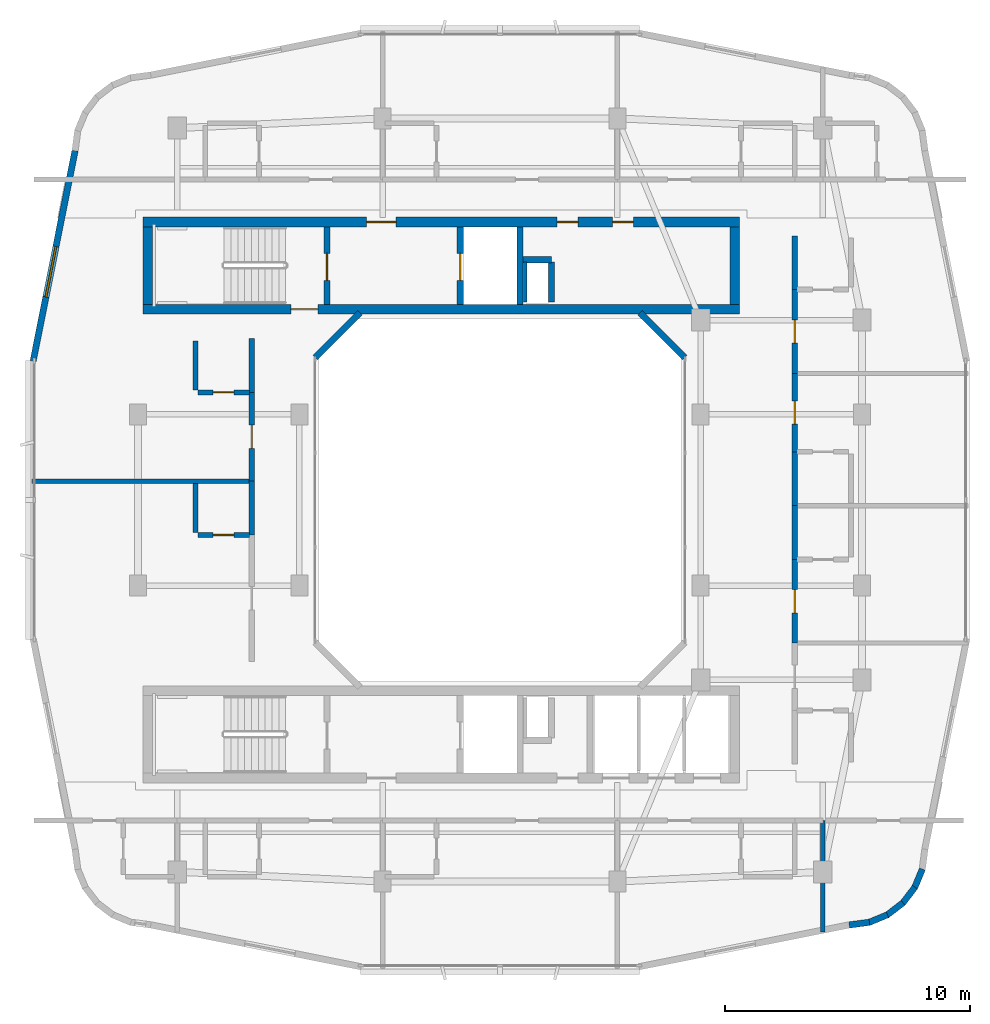
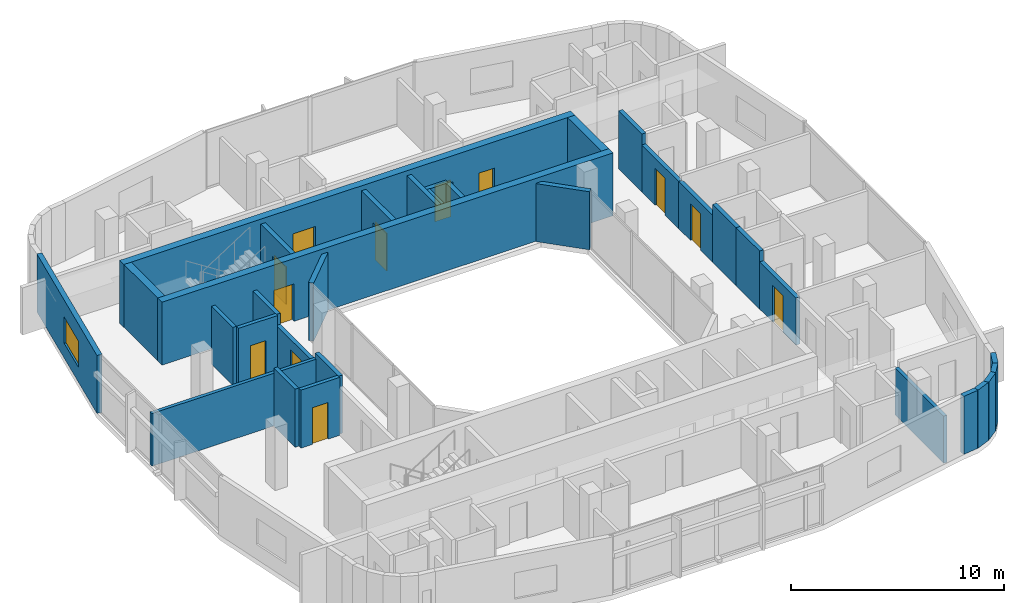
# One storey, part 8 of 14: 33 walls, 12 doors, 1 window, 13 openings.
"""IFC4 building model written with IfcOpenShell, lengths in metres."""

from ifc_helpers import new_model, si_unit, derived_unit, direction, frame, frame_2d, origin, place, context, subcontext, project, spatial, rectangle, extrude, material, layer, layer_set, type_object, element, fill, save


model = new_model("IFC4")

# Units and contexts
model_context = context("Model", 3, precision=1e-05, world=origin(), true_north=direction((0.0, 1.0)))
body_context = subcontext(model_context, "Body", "Model", "MODEL_VIEW")
ifc_project = project(units=[si_unit("LENGTHUNIT", "METRE"), si_unit("AREAUNIT", "SQUARE_METRE"), si_unit("VOLUMEUNIT", "CUBIC_METRE"), si_unit("PLANEANGLEUNIT", "RADIAN"), si_unit("MASSUNIT", "GRAM", prefix="KILO"), derived_unit("THERMALTRANSMITTANCEUNIT", [(si_unit("POWERUNIT", "WATT"), 1), (si_unit("LENGTHUNIT", "METRE"), -2), (si_unit("THERMODYNAMICTEMPERATUREUNIT", "KELVIN"), -1)])], contexts=[model_context])

# Site, building, storey
site_placement = place(None, origin())
site = spatial("IfcSite", under=ifc_project, at=site_placement, CompositionType="ELEMENT")
building_placement = place(site_placement, origin())
building = spatial("IfcBuilding", under=site, at=building_placement, Name="Kivonza Crest Hotel", CompositionType="ELEMENT")
storey_placement = place(building_placement, frame((0.0, 0.0, 224.300048828125)))
storey = spatial("IfcBuildingStorey", under=building, at=storey_placement, Name="L61", CompositionType="ELEMENT", Elevation=224.300048828125)

# Walls
ifc_material_1 = material(Name="High-density acoustic masonry inter-tenancy wall", Category="masonry")
ifc_layer_1 = layer(ifc_material_1, 0.179931640625)
ifc_layer_set_1 = layer_set([ifc_layer_1], Name="High-density acoustic masonry inter-tenancy wall")
wall_type_1 = type_object("IfcWallType", Name="WL-ACOU-180", PredefinedType="SOLIDWALL", material=ifc_layer_set_1)
wall_1_placement = place(storey_placement, frame((34.199951171875, 7.342041015625, 0.0), z_axis=(0.0, 0.0, 1.0), x_axis=(0.0, 1.0, 0.0)))
element("IfcWall", 1, at=wall_1_placement, inside=storey, type_object=wall_type_1, Name="L61 interior partition WA-L61-T1S-DIV4", PredefinedType="SOLIDWALL", context=body_context, shape_type="SweptSolid", body=[
    extrude(rectangle(XDim=4.557861328125, YDim=0.179931640625, at=frame_2d((2.27880859375, 0.0))), origin(), (0.0, 0.0, 1.0), 2.695068359375),
])
wall_2_placement = place(storey_placement, frame((1.860107421875, 25.77001953125, 0.0), z_axis=(0.0, 0.0, 1.0), x_axis=(1.0, 0.0, 0.0)))
element("IfcWall", 2, at=wall_2_placement, inside=storey, type_object=wall_type_1, Name="L61 interior partition WA-L61-T1W-DIV1", PredefinedType="SOLIDWALL", context=body_context, shape_type="SweptSolid", body=[
    extrude(rectangle(XDim=8.989990234375, YDim=0.179931640625, at=frame_2d((4.4951171875, 0.0))), origin(), (0.0, 0.0, 1.0), 3.014892578125),
])
ifc_material_2 = material(Name="Autoclaved aerated concrete blockwork", Category="masonry")
ifc_layer_2 = layer(ifc_material_2, 0.219970703125)
ifc_layer_set_2 = layer_set([ifc_layer_2], Name="Autoclaved aerated concrete blockwork")
wall_type_2 = type_object("IfcWallType", Name="WL-ACOU-220", PredefinedType="SOLIDWALL", material=ifc_layer_set_2)
wall_3_placement = place(storey_placement, frame((10.85009765625, 23.570068359375, 0.0), z_axis=(0.0, 0.0, 1.0), x_axis=(0.0, 1.0, 0.0)))
element("IfcWall", 3, at=wall_3_placement, inside=storey, type_object=wall_type_2, Name="L61 interior partition WA-L61-W09-BCORR", PredefinedType="SOLIDWALL", context=body_context, shape_type="SweptSolid", body=[
    extrude(rectangle(XDim=2.199951171875, YDim=0.219970703125, at=frame_2d((1.10009765625, 0.0))), origin(), (0.0, 0.0, 1.0), 3.320068359375),
])
wall_4_placement = place(storey_placement, frame((10.85009765625, 29.39990234375, 0.0), z_axis=(0.0, 0.0, 1.0), x_axis=(0.0, 1.0, 0.0)))
element("IfcWall", 4, at=wall_4_placement, inside=storey, type_object=wall_type_2, Name="L61 interior partition WA-L61-W10-BCORR", PredefinedType="SOLIDWALL", context=body_context, shape_type="SweptSolid", body=[
    extrude(rectangle(XDim=2.2001953125, YDim=0.219970703125, at=frame_2d((1.10009765625, 0.0))), origin(), (0.0, 0.0, 1.0), 3.320068359375),
])

# Wall, opening, door
wall_5_placement = place(storey_placement, frame((10.85009765625, 25.77001953125, 0.0), z_axis=(0.0, 0.0, 1.0), x_axis=(0.0, 1.0, 0.0)))
wall_5 = element("IfcWall", 5, at=wall_5_placement, inside=storey, type_object=wall_type_2, Name="L61 interior partition WA-L61-W10-MCORR", PredefinedType="SOLIDWALL", context=body_context, shape_type="SweptSolid", body=[
    extrude(rectangle(XDim=3.6298828125, YDim=0.219970703125, at=frame_2d((1.81494140625, 0.0))), origin(), (0.0, 0.0, 1.0), 2.695068359375),
])
opening_1_placement = place(wall_5_placement, frame((1.340087890625, 0.0, 0.0)))
opening_1 = element("IfcOpeningElement", 6, at=opening_1_placement, cuts=wall_5, Name="Opening DU-60", PredefinedType="OPENING", context=body_context, shape_type="SweptSolid", body=[
    extrude(rectangle(XDim=0.949951171875, YDim=2.10009765625, at=frame_2d((0.47509765625, 1.050048828125))), frame((0.0, 0.1201171875, 0.0), z_axis=(0.0, -1.0, 0.0), x_axis=(1.0, 0.0, 0.0)), (0.0, 0.0, 1.0), 0.239990234375),
])
ifc_material_3 = material(Name="Hardwood timber oak", Category="wood")
door_type_1 = type_object("IfcDoorType", Name="DR-UNIT-950", OperationType="NOTDEFINED", PredefinedType="DOOR", material=ifc_material_3)
door_1_placement = place(opening_1_placement, origin())
door_1 = element("IfcDoor", 7, at=door_1_placement, inside=storey, type_object=door_type_1, Name="L61 W10 guest unit entrance fire door", OperationType="SINGLE_SWING_RIGHT", OverallHeight=2.10009765625, OverallWidth=0.949951171875, PredefinedType="DOOR", context=body_context, shape_type="SweptSolid", body=[
    extrude(rectangle(XDim=0.949951171875, YDim=2.10009765625, at=frame_2d((0.47509765625, 1.050048828125))), frame((0.0, 0.02490234375, 0.0), z_axis=(0.0, -1.0, 0.0), x_axis=(1.0, 0.0, 0.0)), (0.0, 0.0, 1.0), 0.050048828125),
])
fill(opening_1, door_1)

# Wall
wall_6_placement = place(storey_placement, frame((33.050048828125, 22.572021484375, 0.0), z_axis=(0.0, 0.0, 1.0), x_axis=(0.0, 1.0, 0.0)))
element("IfcWall", 8, at=wall_6_placement, inside=storey, type_object=wall_type_2, Name="L61 interior partition WA-L61-E12-BCORR", PredefinedType="SOLIDWALL", context=body_context, shape_type="SweptSolid", body=[
    extrude(rectangle(XDim=2.199951171875, YDim=0.219970703125, at=frame_2d((1.10009765625, 0.0))), origin(), (0.0, 0.0, 1.0), 3.320068359375),
])

# Wall, opening, door
wall_7_placement = place(storey_placement, frame((33.050048828125, 19.156005859375, 0.0), z_axis=(0.0, 0.0, 1.0), x_axis=(0.0, 1.0, 0.0)))
wall_7 = element("IfcWall", 9, at=wall_7_placement, inside=storey, type_object=wall_type_2, Name="L61 interior partition WA-L61-E12-MCORR", PredefinedType="SOLIDWALL", context=body_context, shape_type="SweptSolid", body=[
    extrude(rectangle(XDim=3.416015625, YDim=0.219970703125, at=frame_2d((1.7080078125, 0.0))), origin(), (0.0, 0.0, 1.0), 2.695068359375),
])
opening_2_placement = place(wall_7_placement, frame((1.23291015625, 0.0, 0.0)))
opening_2 = element("IfcOpeningElement", 10, at=opening_2_placement, cuts=wall_7, Name="Opening DU-60", PredefinedType="OPENING", context=body_context, shape_type="SweptSolid", body=[
    extrude(rectangle(XDim=0.949951171875, YDim=2.10009765625, at=frame_2d((0.47509765625, 1.050048828125))), frame((0.0, 0.1201171875, 0.0), z_axis=(0.0, -1.0, 0.0), x_axis=(1.0, 0.0, 0.0)), (0.0, 0.0, 1.0), 0.239990234375),
])
door_2_placement = place(opening_2_placement, frame((0.949951171875, 0.0, 0.0), z_axis=(0.0, 0.0, 1.0), x_axis=(-1.0, 0.0, 0.0)))
door_2 = element("IfcDoor", 11, at=door_2_placement, inside=storey, type_object=door_type_1, Name="L61 E12 guest unit entrance fire door", OperationType="SINGLE_SWING_RIGHT", OverallHeight=2.10009765625, OverallWidth=0.949951171875, PredefinedType="DOOR", context=body_context, shape_type="SweptSolid", body=[
    extrude(rectangle(XDim=0.949951171875, YDim=2.10009765625, at=frame_2d((0.47509765625, 1.050048828125))), frame((0.0, 0.02490234375, 0.0), z_axis=(0.0, -1.0, 0.0), x_axis=(1.0, 0.0, 0.0)), (0.0, 0.0, 1.0), 0.050048828125),
])
fill(opening_2, door_2)

# Wall
wall_8_placement = place(storey_placement, frame((33.050048828125, 24.77197265625, 0.0), z_axis=(0.0, 0.0, 1.0), x_axis=(0.0, 1.0, 0.0)))
element("IfcWall", 12, at=wall_8_placement, inside=storey, type_object=wall_type_2, Name="L61 interior partition WA-L61-E13-BCORR", PredefinedType="SOLIDWALL", context=body_context, shape_type="SweptSolid", body=[
    extrude(rectangle(XDim=2.199951171875, YDim=0.219970703125, at=frame_2d((1.10009765625, 0.0))), origin(), (0.0, 0.0, 1.0), 3.320068359375),
])

# Wall, opening, door
wall_9_placement = place(storey_placement, frame((33.050048828125, 26.971923828125, 0.0), z_axis=(0.0, 0.0, 1.0), x_axis=(0.0, 1.0, 0.0)))
wall_9 = element("IfcWall", 13, at=wall_9_placement, inside=storey, type_object=wall_type_2, Name="L61 interior partition WA-L61-E13-MCORR", PredefinedType="SOLIDWALL", context=body_context, shape_type="SweptSolid", body=[
    extrude(rectangle(XDim=3.2001953125, YDim=0.219970703125, at=frame_2d((1.60009765625, 0.0))), origin(), (0.0, 0.0, 1.0), 2.695068359375),
])
opening_3_placement = place(wall_9_placement, frame((1.125, 0.0, 0.0)))
opening_3 = element("IfcOpeningElement", 14, at=opening_3_placement, cuts=wall_9, Name="Opening DU-60", PredefinedType="OPENING", context=body_context, shape_type="SweptSolid", body=[
    extrude(rectangle(XDim=0.949951171875, YDim=2.10009765625, at=frame_2d((0.47509765625, 1.050048828125))), frame((0.0, 0.1201171875, 0.0), z_axis=(0.0, -1.0, 0.0), x_axis=(1.0, 0.0, 0.0)), (0.0, 0.0, 1.0), 0.239990234375),
])
door_3_placement = place(opening_3_placement, frame((0.949951171875, 0.0, 0.0), z_axis=(0.0, 0.0, 1.0), x_axis=(-1.0, 0.0, 0.0)))
door_3 = element("IfcDoor", 15, at=door_3_placement, inside=storey, type_object=door_type_1, Name="L61 E13 guest unit entrance fire door", OperationType="SINGLE_SWING_LEFT", OverallHeight=2.10009765625, OverallWidth=0.949951171875, PredefinedType="DOOR", context=body_context, shape_type="SweptSolid", body=[
    extrude(rectangle(XDim=0.949951171875, YDim=2.10009765625, at=frame_2d((0.47509765625, 1.050048828125))), frame((0.0, 0.02490234375, 0.0), z_axis=(0.0, -1.0, 0.0), x_axis=(1.0, 0.0, 0.0)), (0.0, 0.0, 1.0), 0.050048828125),
])
fill(opening_3, door_3)

# Wall
wall_10_placement = place(storey_placement, frame((33.050048828125, 33.60009765625, 0.0), z_axis=(0.0, 0.0, 1.0), x_axis=(0.0, 1.0, 0.0)))
element("IfcWall", 16, at=wall_10_placement, inside=storey, type_object=wall_type_2, Name="L61 interior partition WA-L61-E14-BCORR", PredefinedType="SOLIDWALL", context=body_context, shape_type="SweptSolid", body=[
    extrude(rectangle(XDim=2.199951171875, YDim=0.219970703125, at=frame_2d((1.10009765625, 0.0))), origin(), (0.0, 0.0, 1.0), 3.320068359375),
])

# Wall, opening, door
wall_11_placement = place(storey_placement, frame((33.050048828125, 30.172119140625, 0.0), z_axis=(0.0, 0.0, 1.0), x_axis=(0.0, 1.0, 0.0)))
wall_11 = element("IfcWall", 17, at=wall_11_placement, inside=storey, type_object=wall_type_2, Name="L61 interior partition WA-L61-E14-MCORR", PredefinedType="SOLIDWALL", context=body_context, shape_type="SweptSolid", body=[
    extrude(rectangle(XDim=3.427978515625, YDim=0.219970703125, at=frame_2d((1.7138671875, 0.0))), origin(), (0.0, 0.0, 1.0), 2.695068359375),
])
opening_4_placement = place(wall_11_placement, frame((1.239013671875, 0.0, 0.0)))
opening_4 = element("IfcOpeningElement", 18, at=opening_4_placement, cuts=wall_11, Name="Opening DU-60", PredefinedType="OPENING", context=body_context, shape_type="SweptSolid", body=[
    extrude(rectangle(XDim=0.949951171875, YDim=2.10009765625, at=frame_2d((0.47509765625, 1.050048828125))), frame((0.0, 0.1201171875, 0.0), z_axis=(0.0, -1.0, 0.0), x_axis=(1.0, 0.0, 0.0)), (0.0, 0.0, 1.0), 0.239990234375),
])
door_4_placement = place(opening_4_placement, frame((0.949951171875, 0.0, 0.0), z_axis=(0.0, 0.0, 1.0), x_axis=(-1.0, 0.0, 0.0)))
door_4 = element("IfcDoor", 19, at=door_4_placement, inside=storey, type_object=door_type_1, Name="L61 E14 guest unit entrance fire door", OperationType="SINGLE_SWING_RIGHT", OverallHeight=2.10009765625, OverallWidth=0.949951171875, PredefinedType="DOOR", context=body_context, shape_type="SweptSolid", body=[
    extrude(rectangle(XDim=0.949951171875, YDim=2.10009765625, at=frame_2d((0.47509765625, 1.050048828125))), frame((0.0, 0.02490234375, 0.0), z_axis=(0.0, -1.0, 0.0), x_axis=(1.0, 0.0, 0.0)), (0.0, 0.0, 1.0), 0.050048828125),
])
fill(opening_4, door_4)

ifc_material_4 = material(Name="Concrete C50/60", Category="concrete")
ifc_layer_3 = layer(ifc_material_4, 0.39990234375)
ifc_layer_set_3 = layer_set([ifc_layer_3], Name="Concrete C50/60")
wall_type_3 = type_object("IfcWallType", Name="WL-CORE-400", PredefinedType="SHEAR", material=ifc_layer_set_3)
wall_12_placement = place(storey_placement, frame((6.39990234375, 32.800048828125, 0.0), z_axis=(0.0, 0.0, 1.0), x_axis=(1.0, 0.0, 0.0)))
wall_12 = element("IfcWall", 20, at=wall_12_placement, inside=storey, type_object=wall_type_3, Name="Core wall T1-N South L61", PredefinedType="SHEAR", context=body_context, shape_type="SweptSolid", body=[
    extrude(rectangle(XDim=24.400146484375, YDim=0.39990234375, at=frame_2d((12.2001953125, 0.0))), origin(), (0.0, 0.0, 1.0), 3.599853515625),
])
opening_5_placement = place(wall_12_placement, frame((6.050048828125, 0.0, 0.0)))
opening_5 = element("IfcOpeningElement", 21, at=opening_5_placement, cuts=wall_12, Name="Opening DF-120", PredefinedType="OPENING", context=body_context, shape_type="SweptSolid", body=[
    extrude(rectangle(XDim=1.10009765625, YDim=2.14990234375, at=frame_2d((0.550048828125, 1.074951171875))), frame((0.0, 0.2099609375, 0.0), z_axis=(0.0, -1.0, 0.0), x_axis=(1.0, 0.0, 0.0)), (0.0, 0.0, 1.0), 0.419921875),
])
ifc_material_5 = material(Name="Galvanised steel", Category="steel")
door_type_2 = type_object("IfcDoorType", Name="DR-FD120-1100", OperationType="NOTDEFINED", PredefinedType="DOOR", material=ifc_material_5)
door_5_placement = place(opening_5_placement, origin())
door_5 = element("IfcDoor", 22, at=door_5_placement, inside=storey, type_object=door_type_2, Name="L61 West corridor stair access fire door", OperationType="SINGLE_SWING_LEFT", OverallHeight=2.14990234375, OverallWidth=1.10009765625, PredefinedType="DOOR", context=body_context, shape_type="SweptSolid", body=[
    extrude(rectangle(XDim=1.10009765625, YDim=2.14990234375, at=frame_2d((0.550048828125, 1.074951171875))), frame((0.0, 0.02490234375, 0.0), z_axis=(0.0, -1.0, 0.0), x_axis=(1.0, 0.0, 0.0)), (0.0, 0.0, 1.0), 0.050048828125),
])
fill(opening_5, door_5)

# Wall, openings, doors
wall_13_placement = place(storey_placement, frame((6.39990234375, 36.360107421875, 0.0), z_axis=(0.0, 0.0, 1.0), x_axis=(1.0, 0.0, 0.0)))
wall_13 = element("IfcWall", 23, at=wall_13_placement, inside=storey, type_object=wall_type_3, Name="Core wall T1-N North L61", PredefinedType="SHEAR", context=body_context, shape_type="SweptSolid", body=[
    extrude(rectangle(XDim=24.400146484375, YDim=0.39990234375, at=frame_2d((12.2001953125, 0.0))), origin(), (0.0, 0.0, 1.0), 3.599853515625),
])
opening_6_placement = place(wall_13_placement, frame((9.14990234375, 0.0, 0.0)))
opening_6 = element("IfcOpeningElement", 24, at=opening_6_placement, cuts=wall_13, Name="Opening DF-60", PredefinedType="OPENING", context=body_context, shape_type="SweptSolid", body=[
    extrude(rectangle(XDim=1.199951171875, YDim=2.14990234375, at=frame_2d((0.60009765625, 1.074951171875))), frame((0.0, 0.2099609375, 0.0), z_axis=(0.0, -1.0, 0.0), x_axis=(1.0, 0.0, 0.0)), (0.0, 0.0, 1.0), 0.419921875),
])
opening_7_placement = place(wall_13_placement, frame((19.199951171875, 0.0, 0.0)))
opening_7 = element("IfcOpeningElement", 25, at=opening_7_placement, cuts=wall_13, Name="Opening DF-60R", PredefinedType="OPENING", context=body_context, shape_type="SweptSolid", body=[
    extrude(rectangle(XDim=0.85009765625, YDim=2.10009765625, at=frame_2d((0.425048828125, 1.050048828125))), frame((0.0, 0.2099609375, 0.0), z_axis=(0.0, -1.0, 0.0), x_axis=(1.0, 0.0, 0.0)), (0.0, 0.0, 1.0), 0.419921875),
])
opening_8_placement = place(wall_13_placement, frame((16.93994140625, 0.0, 0.0)))
opening_8 = element("IfcOpeningElement", 26, at=opening_8_placement, cuts=wall_13, Name="Opening DF-60R", PredefinedType="OPENING", context=body_context, shape_type="SweptSolid", body=[
    extrude(rectangle(XDim=0.85009765625, YDim=2.10009765625, at=frame_2d((0.425048828125, 1.050048828125))), frame((0.0, 0.2099609375, 0.0), z_axis=(0.0, -1.0, 0.0), x_axis=(1.0, 0.0, 0.0)), (0.0, 0.0, 1.0), 0.419921875),
])
door_type_3 = type_object("IfcDoorType", Name="DR-FD60-1200", OperationType="NOTDEFINED", PredefinedType="DOOR", material=ifc_material_3)
door_6_placement = place(opening_6_placement, origin())
door_6 = element("IfcDoor", 27, at=door_6_placement, inside=storey, type_object=door_type_3, Name="L61 T1-N firefighting lobby fire door", OperationType="SINGLE_SWING_RIGHT", OverallHeight=2.14990234375, OverallWidth=1.199951171875, PredefinedType="DOOR", context=body_context, shape_type="SweptSolid", body=[
    extrude(rectangle(XDim=1.199951171875, YDim=2.14990234375, at=frame_2d((0.60009765625, 1.074951171875))), frame((0.0, 0.02490234375, 0.0), z_axis=(0.0, -1.0, 0.0), x_axis=(1.0, 0.0, 0.0)), (0.0, 0.0, 1.0), 0.050048828125),
])
fill(opening_6, door_6)
door_type_4 = type_object("IfcDoorType", Name="DR-FD60-850", OperationType="NOTDEFINED", PredefinedType="DOOR", material=ifc_material_3)
door_7_placement = place(opening_7_placement, origin())
door_7 = element("IfcDoor", 28, at=door_7_placement, inside=storey, type_object=door_type_4, Name="L61 T1-N reclaimed core service door", OperationType="SINGLE_SWING_LEFT", OverallHeight=2.10009765625, OverallWidth=0.85009765625, PredefinedType="DOOR", context=body_context, shape_type="SweptSolid", body=[
    extrude(rectangle(XDim=0.85009765625, YDim=2.10009765625, at=frame_2d((0.425048828125, 1.050048828125))), frame((0.0, 0.02490234375, 0.0), z_axis=(0.0, -1.0, 0.0), x_axis=(1.0, 0.0, 0.0)), (0.0, 0.0, 1.0), 0.050048828125),
])
fill(opening_7, door_7)
door_8_placement = place(opening_8_placement, origin())
door_8 = element("IfcDoor", 29, at=door_8_placement, inside=storey, type_object=door_type_4, Name="L61 T1-N core room door", OperationType="SINGLE_SWING_RIGHT", OverallHeight=2.10009765625, OverallWidth=0.85009765625, PredefinedType="DOOR", context=body_context, shape_type="SweptSolid", body=[
    extrude(rectangle(XDim=0.85009765625, YDim=2.10009765625, at=frame_2d((0.425048828125, 1.050048828125))), frame((0.0, 0.02490234375, 0.0), z_axis=(0.0, -1.0, 0.0), x_axis=(1.0, 0.0, 0.0)), (0.0, 0.0, 1.0), 0.050048828125),
])
fill(opening_8, door_8)

# Walls
for number, where, z_axis, x_axis, name in (
    (30, (6.60009765625, 33.0, 0.0), (0.0, 0.0, 1.0), (0.0, 1.0, 0.0), "Core wall T1-N West L61"),
    (31, (30.60009765625, 33.0, 0.0), (0.0, 0.0, 1.0), (0.0, 1.0, 0.0), "Core wall T1-N East L61"),
):
    element("IfcWall", number, at=place(storey_placement, frame(where, z_axis=z_axis, x_axis=x_axis)), inside=storey, type_object=wall_type_3, Name=name, PredefinedType="SHEAR", context=body_context, shape_type="SweptSolid", body=[
        extrude(rectangle(XDim=3.159912109375, YDim=0.39990234375, at=frame_2d((1.580078125, 0.0))), origin(), (0.0, 0.0, 1.0), 3.599853515625),
    ])
ifc_material_6 = material(Name="Precast concrete C40/50", Category="concrete")
ifc_layer_4 = layer(ifc_material_6, 0.260009765625)
ifc_layer_set_4 = layer_set([ifc_layer_4], Name="Precast concrete C40/50")
wall_type_4 = type_object("IfcWallType", Name="WL-EXT-260", PredefinedType="STANDARD", material=ifc_layer_set_4)
wall_14_placement = place(storey_placement, frame((35.27490234375, 7.6279296875, 0.0), z_axis=(0.0, 0.0, 1.0), x_axis=(0.9913883573, 0.130954667764, 0.0)))
element("IfcWall", 32, at=wall_14_placement, inside=storey, type_object=wall_type_4, Name="L61 T1 exterior insulated wall 10", PredefinedType="STANDARD", context=body_context, shape_type="SweptSolid", body=[
    extrude(rectangle(XDim=0.833251953125, YDim=0.260009765625, at=frame_2d((0.41650390625, 0.0))), origin(), (0.0, 0.0, 1.0), 3.320068359375),
])
wall_15_placement = place(storey_placement, frame((36.054931640625, 7.718994140625, 0.0), z_axis=(0.0, 0.0, 1.0), x_axis=(0.923754491172, 0.382985169477, 0.0)))
element("IfcWall", 33, at=wall_15_placement, inside=storey, type_object=wall_type_4, Name="L61 T1 exterior insulated wall 11", PredefinedType="STANDARD", context=body_context, shape_type="SweptSolid", body=[
    extrude(rectangle(XDim=0.85107421875, YDim=0.260009765625, at=frame_2d((0.425537109375, 0.0))), origin(), (0.0, 0.0, 1.0), 3.320068359375),
])
for number, where, z_axis, x_axis, name in (
    (34, (36.801025390625, 8.01708984375, 0.0), (0.0, 0.0, 1.0), (0.793999057278, 0.607918988881, 0.0), "L61 T1 exterior insulated wall 12"),
    (35, (37.445068359375, 8.49609375, 0.0), (0.0, 0.0, 1.0), (0.608057619941, 0.793892896323, 0.0), "L61 T1 exterior insulated wall 13"),
):
    element("IfcWall", number, at=place(storey_placement, frame(where, z_axis=z_axis, x_axis=x_axis)), inside=storey, type_object=wall_type_4, Name=name, PredefinedType="STANDARD", context=body_context, shape_type="SweptSolid", body=[
        extrude(rectangle(XDim=0.85009765625, YDim=0.260009765625, at=frame_2d((0.425048828125, 0.0))), origin(), (0.0, 0.0, 1.0), 3.320068359375),
    ])
wall_16_placement = place(storey_placement, frame((37.94091796875, 9.126953125, 0.0), z_axis=(0.0, 0.0, 1.0), x_axis=(0.383229930484, 0.923652976167, 0.0)))
element("IfcWall", 36, at=wall_16_placement, inside=storey, type_object=wall_type_4, Name="L61 T1 exterior insulated wall 14", PredefinedType="STANDARD", context=body_context, shape_type="SweptSolid", body=[
    extrude(rectangle(XDim=0.85107421875, YDim=0.260009765625, at=frame_2d((0.425537109375, 0.0))), origin(), (0.0, 0.0, 1.0), 3.320068359375),
])

# Wall, opening, window
wall_17_placement = place(storey_placement, frame((3.62890625, 39.282958984375, 0.0), z_axis=(0.0, 0.0, 1.0), x_axis=(-0.195291715883, -0.980745199176, 0.0)))
wall_17 = element("IfcWall", 37, at=wall_17_placement, inside=storey, type_object=wall_type_4, Name="L61 T1 exterior insulated wall 34", PredefinedType="STANDARD", context=body_context, shape_type="SweptSolid", body=[
    extrude(rectangle(XDim=8.77099609375, YDim=0.260009765625, at=frame_2d((4.385498046875, 0.0))), origin(), (0.0, 0.0, 1.0), 3.320068359375),
])
opening_9_placement = place(wall_17_placement, frame((4.0, 0.0, 0.85009765625)))
opening_9 = element("IfcOpeningElement", 38, at=opening_9_placement, cuts=wall_17, Name="Opening WN-04", PredefinedType="OPENING", context=body_context, shape_type="SweptSolid", body=[
    extrude(rectangle(XDim=2.10009765625, YDim=1.5, at=frame_2d((1.050048828125, 0.75))), frame((0.0, 0.14013671875, 0.0), z_axis=(0.0, -1.0, 0.0), x_axis=(1.0, 0.0, 0.0)), (0.0, 0.0, 1.0), 0.280029296875),
])
ifc_material_7 = material(Name="Thermally broken bronze aluminium and low-E double glazing", Category="aluminium")
window_type = type_object("IfcWindowType", Name="WN-210x150", PartitioningType="DOUBLE_PANEL_VERTICAL", PredefinedType="WINDOW", material=ifc_material_7)
window_placement = place(opening_9_placement, origin())
window = element("IfcWindow", 39, at=window_placement, inside=storey, type_object=window_type, Name="L61 T1 facade window 34", OverallHeight=1.5, OverallWidth=2.10009765625, PartitioningType="SINGLE_PANEL", PredefinedType="WINDOW", context=body_context, shape_type="SweptSolid", body=[
    extrude(rectangle(XDim=2.10009765625, YDim=1.5, at=frame_2d((1.050048828125, 0.75))), frame((0.0, 0.030029296875, 0.0), z_axis=(0.0, -1.0, 0.0), x_axis=(1.0, 0.0, 0.0)), (0.0, 0.0, 1.0), 0.06005859375),
])
fill(opening_9, window)

# Walls
for number, where, z_axis, x_axis, name in (
    (40, (28.555908203125, 30.827880859375, 0.0), (0.0, 0.0, 1.0), (-0.707059717605, 0.707153841636, 0.0), "L61 T1 light-well exterior wall 4"),
    (41, (15.278076171875, 32.662109375, 0.0), (0.0, 0.0, 1.0), (-0.707059717605, -0.707153841636, 0.0), "L61 T1 light-well exterior wall 6"),
):
    element("IfcWall", number, at=place(storey_placement, frame(where, z_axis=z_axis, x_axis=x_axis)), inside=storey, type_object=wall_type_4, Name=name, PredefinedType="STANDARD", context=body_context, shape_type="SweptSolid", body=[
        extrude(rectangle(XDim=2.59375, YDim=0.260009765625, at=frame_2d((1.296875, 0.0))), origin(), (0.0, 0.0, 1.0), 3.320068359375),
    ])
ifc_material_8 = material(Name="Concrete blockwork fire-compartment wall", Category="masonry")
ifc_layer_5 = layer(ifc_material_8, 0.25)
ifc_layer_set_5 = layer_set([ifc_layer_5], Name="Concrete blockwork fire-compartment wall")
wall_type_5 = type_object("IfcWallType", Name="WL-FIRE-250", PredefinedType="SOLIDWALL", material=ifc_layer_set_5)
wall_18_placement = place(storey_placement, frame((23.10009765625, 33.10009765625, 0.0), z_axis=(0.0, 0.0, 1.0), x_axis=(0.0, 1.0, 0.0)))
element("IfcWall", 42, at=wall_18_placement, inside=storey, type_object=wall_type_5, Name="L61 interior partition WA-L61-T1-N-MEPR-E", PredefinedType="SOLIDWALL", context=body_context, shape_type="SweptSolid", body=[
    extrude(rectangle(XDim=1.619873046875, YDim=0.25, at=frame_2d((0.81005859375, 0.0))), origin(), (0.0, 0.0, 1.0), 3.320068359375),
])
wall_19_placement = place(storey_placement, frame((21.949951171875, 34.820068359375, 0.0), z_axis=(0.0, 0.0, 1.0), x_axis=(1.0, 0.0, 0.0)))
element("IfcWall", 43, at=wall_19_placement, inside=storey, type_object=wall_type_5, Name="L61 interior partition WA-L61-T1-N-MEPR-H", PredefinedType="SOLIDWALL", context=body_context, shape_type="SweptSolid", body=[
    extrude(rectangle(XDim=1.150146484375, YDim=0.25, at=frame_2d((0.5751953125, 0.0))), origin(), (0.0, 0.0, 1.0), 3.320068359375),
])
ifc_material_9 = material(Name="Twin-stud acoustic gypsum board partition", Category="gypsum")
ifc_layer_6 = layer(ifc_material_9, 0.14990234375)
ifc_layer_set_6 = layer_set([ifc_layer_6], Name="Twin-stud acoustic gypsum board partition")
wall_type_6 = type_object("IfcWallType", Name="WL-PART-150", PredefinedType="PARTITIONING", material=ifc_layer_set_6)
wall_20_placement = place(storey_placement, frame((22.030029296875, 33.10009765625, 0.0), z_axis=(0.0, 0.0, 1.0), x_axis=(0.0, 1.0, 0.0)))
element("IfcWall", 44, at=wall_20_placement, inside=storey, type_object=wall_type_6, Name="L61 interior partition WA-L61-T1-N-MEPR-W", PredefinedType="PARTITIONING", context=body_context, shape_type="SweptSolid", body=[
    extrude(rectangle(XDim=1.619873046875, YDim=0.14990234375, at=frame_2d((0.81005859375, 0.0))), origin(), (0.0, 0.0, 1.0), 3.320068359375),
])

# Wall, opening, door
ifc_material_10 = material(Name="Moisture-resistant plumbing chase partition wall", Category="gypsum")
ifc_layer_7 = layer(ifc_material_10, 0.199951171875)
ifc_layer_set_7 = layer_set([ifc_layer_7], Name="Moisture-resistant plumbing chase partition wall")
wall_type_7 = type_object("IfcWallType", Name="WL-PLUMB-200", PredefinedType="PLUMBINGWALL", material=ifc_layer_set_7)
wall_21_placement = place(storey_placement, frame((8.64990234375, 23.570068359375, 0.0), z_axis=(0.0, 0.0, 1.0), x_axis=(1.0, 0.0, 0.0)))
wall_21 = element("IfcWall", 45, at=wall_21_placement, inside=storey, type_object=wall_type_7, Name="L61 interior partition WW-L61-W09-BH", PredefinedType="PLUMBINGWALL", context=body_context, shape_type="SweptSolid", body=[
    extrude(rectangle(XDim=2.10009765625, YDim=0.199951171875, at=frame_2d((1.050048828125, 0.0))), origin(), (0.0, 0.0, 1.0), 3.320068359375),
])
opening_10_placement = place(wall_21_placement, frame((0.625, 0.0, 0.0)))
opening_10 = element("IfcOpeningElement", 46, at=opening_10_placement, cuts=wall_21, Name="Opening DI-85", PredefinedType="OPENING", context=body_context, shape_type="SweptSolid", body=[
    extrude(rectangle(XDim=0.85009765625, YDim=2.10009765625, at=frame_2d((0.425048828125, 1.050048828125))), frame((0.0, 0.10986328125, 0.0), z_axis=(0.0, -1.0, 0.0), x_axis=(1.0, 0.0, 0.0)), (0.0, 0.0, 1.0), 0.219970703125),
])
door_type_5 = type_object("IfcDoorType", Name="DR-INT-850", OperationType="NOTDEFINED", PredefinedType="DOOR", material=ifc_material_3)
door_9_placement = place(opening_10_placement, frame((0.85009765625, 0.0, 0.0), z_axis=(0.0, 0.0, 1.0), x_axis=(-1.0, 0.0, 0.0)))
door_9 = element("IfcDoor", 47, at=door_9_placement, inside=storey, type_object=door_type_5, Name="L61 W09 en-suite bathroom door", OperationType="SINGLE_SWING_RIGHT", OverallHeight=2.10009765625, OverallWidth=0.85009765625, PredefinedType="DOOR", context=body_context, shape_type="SweptSolid", body=[
    extrude(rectangle(XDim=0.85009765625, YDim=2.10009765625, at=frame_2d((0.425048828125, 1.050048828125))), frame((0.0, 0.02490234375, 0.0), z_axis=(0.0, -1.0, 0.0), x_axis=(1.0, 0.0, 0.0)), (0.0, 0.0, 1.0), 0.050048828125),
])
fill(opening_10, door_9)

# Wall
wall_22_placement = place(storey_placement, frame((8.550048828125, 23.669921875, 0.0), z_axis=(0.0, 0.0, 1.0), x_axis=(0.0, 1.0, 0.0)))
element("IfcWall", 48, at=wall_22_placement, inside=storey, type_object=wall_type_7, Name="L61 interior partition WW-L61-W09-BV", PredefinedType="PLUMBINGWALL", context=body_context, shape_type="SweptSolid", body=[
    extrude(rectangle(XDim=2.0, YDim=0.199951171875, at=frame_2d((1.0, 0.0))), origin(), (0.0, 0.0, 1.0), 3.320068359375),
])

# Wall, opening, door
wall_23_placement = place(storey_placement, frame((8.64990234375, 29.39990234375, 0.0), z_axis=(0.0, 0.0, 1.0), x_axis=(1.0, 0.0, 0.0)))
wall_23 = element("IfcWall", 49, at=wall_23_placement, inside=storey, type_object=wall_type_7, Name="L61 interior partition WW-L61-W10-BH", PredefinedType="PLUMBINGWALL", context=body_context, shape_type="SweptSolid", body=[
    extrude(rectangle(XDim=2.10009765625, YDim=0.199951171875, at=frame_2d((1.050048828125, 0.0))), origin(), (0.0, 0.0, 1.0), 3.320068359375),
])
opening_11_placement = place(wall_23_placement, frame((0.625, 0.0, 0.0)))
opening_11 = element("IfcOpeningElement", 50, at=opening_11_placement, cuts=wall_23, Name="Opening DI-85", PredefinedType="OPENING", context=body_context, shape_type="SweptSolid", body=[
    extrude(rectangle(XDim=0.85009765625, YDim=2.10009765625, at=frame_2d((0.425048828125, 1.050048828125))), frame((0.0, 0.10986328125, 0.0), z_axis=(0.0, -1.0, 0.0), x_axis=(1.0, 0.0, 0.0)), (0.0, 0.0, 1.0), 0.219970703125),
])
door_10_placement = place(opening_11_placement, frame((0.85009765625, 0.0, 0.0), z_axis=(0.0, 0.0, 1.0), x_axis=(-1.0, 0.0, 0.0)))
door_10 = element("IfcDoor", 51, at=door_10_placement, inside=storey, type_object=door_type_5, Name="L61 W10 en-suite bathroom door", OperationType="SINGLE_SWING_LEFT", OverallHeight=2.10009765625, OverallWidth=0.85009765625, PredefinedType="DOOR", context=body_context, shape_type="SweptSolid", body=[
    extrude(rectangle(XDim=0.85009765625, YDim=2.10009765625, at=frame_2d((0.425048828125, 1.050048828125))), frame((0.0, 0.02490234375, 0.0), z_axis=(0.0, -1.0, 0.0), x_axis=(1.0, 0.0, 0.0)), (0.0, 0.0, 1.0), 0.050048828125),
])
fill(opening_11, door_10)

# Wall
wall_24_placement = place(storey_placement, frame((8.550048828125, 29.5, 0.0), z_axis=(0.0, 0.0, 1.0), x_axis=(0.0, 1.0, 0.0)))
element("IfcWall", 52, at=wall_24_placement, inside=storey, type_object=wall_type_7, Name="L61 interior partition WW-L61-W10-BV", PredefinedType="PLUMBINGWALL", context=body_context, shape_type="SweptSolid", body=[
    extrude(rectangle(XDim=2.0, YDim=0.199951171875, at=frame_2d((1.0, 0.0))), origin(), (0.0, 0.0, 1.0), 3.320068359375),
])

# Wall, opening, door
ifc_layer_8 = layer(ifc_material_4, 0.25)
ifc_layer_set_8 = layer_set([ifc_layer_8], Name="Concrete C50/60")
wall_type_8 = type_object("IfcWallType", Name="WL-SHAFT-250", PredefinedType="STANDARD", material=ifc_layer_set_8)
wall_25_placement = place(storey_placement, frame((13.925048828125, 33.0, 0.0), z_axis=(0.0, 0.0, 1.0), x_axis=(0.0, 1.0, 0.0)))
wall_25 = element("IfcWall", 53, at=wall_25_placement, inside=storey, type_object=wall_type_8, Name="Core shaft wall T1-N STAIR L61", PredefinedType="STANDARD", context=body_context, shape_type="SweptSolid", body=[
    extrude(rectangle(XDim=3.159912109375, YDim=0.25, at=frame_2d((1.580078125, 0.0))), origin(), (0.0, 0.0, 1.0), 3.320068359375),
])
opening_12_placement = place(wall_25_placement, frame((0.97998046875, 0.0, 0.0)))
opening_12 = element("IfcOpeningElement", 54, at=opening_12_placement, cuts=wall_25, Name="Opening DF-120", PredefinedType="OPENING", context=body_context, shape_type="SweptSolid", body=[
    extrude(rectangle(XDim=1.10009765625, YDim=2.14990234375, at=frame_2d((0.550048828125, 1.074951171875))), frame((0.0, 0.135009765625, 0.0), z_axis=(0.0, -1.0, 0.0), x_axis=(1.0, 0.0, 0.0)), (0.0, 0.0, 1.0), 0.27001953125),
])
door_11_placement = place(opening_12_placement, frame((1.10009765625, 0.0, 0.0), z_axis=(0.0, 0.0, 1.0), x_axis=(-1.0, 0.0, 0.0)))
door_11 = element("IfcDoor", 55, at=door_11_placement, inside=storey, type_object=door_type_2, Name="L61 T1-N stair fire door", OperationType="SINGLE_SWING_LEFT", OverallHeight=2.14990234375, OverallWidth=1.10009765625, PredefinedType="DOOR", context=body_context, shape_type="SweptSolid", body=[
    extrude(rectangle(XDim=1.10009765625, YDim=2.14990234375, at=frame_2d((0.550048828125, 1.074951171875))), frame((0.0, 0.02490234375, 0.0), z_axis=(0.0, -1.0, 0.0), x_axis=(1.0, 0.0, 0.0)), (0.0, 0.0, 1.0), 0.050048828125),
])
fill(opening_12, door_11)

wall_26_placement = place(storey_placement, frame((19.375, 33.0, 0.0), z_axis=(0.0, 0.0, 1.0), x_axis=(0.0, 1.0, 0.0)))
wall_26 = element("IfcWall", 56, at=wall_26_placement, inside=storey, type_object=wall_type_8, Name="Core shaft wall T1-N FFL-W L61", PredefinedType="STANDARD", context=body_context, shape_type="SweptSolid", body=[
    extrude(rectangle(XDim=3.159912109375, YDim=0.25, at=frame_2d((1.580078125, 0.0))), origin(), (0.0, 0.0, 1.0), 3.320068359375),
])
opening_13_placement = place(wall_26_placement, frame((0.97998046875, 0.0, 0.0)))
opening_13 = element("IfcOpeningElement", 57, at=opening_13_placement, cuts=wall_26, Name="Opening LD-120", PredefinedType="OPENING", context=body_context, shape_type="SweptSolid", body=[
    extrude(rectangle(XDim=1.10009765625, YDim=2.14990234375, at=frame_2d((0.550048828125, 1.074951171875))), frame((0.0, 0.135009765625, 0.0), z_axis=(0.0, -1.0, 0.0), x_axis=(1.0, 0.0, 0.0)), (0.0, 0.0, 1.0), 0.27001953125),
])
ifc_material_11 = material(Name="Stainless steel", Category="steel")
door_type_6 = type_object("IfcDoorType", Name="DR-LD120-1100", OperationType="NOTDEFINED", PredefinedType="DOOR", material=ifc_material_11)
door_12_placement = place(opening_13_placement, origin())
door_12 = element("IfcDoor", 58, at=door_12_placement, inside=storey, type_object=door_type_6, Name="L61 FFL-T1-N firefighting lift sliding landing door", OperationType="DOUBLE_DOOR_SLIDING", OverallHeight=2.14990234375, OverallWidth=1.10009765625, PredefinedType="DOOR", context=body_context, shape_type="SweptSolid", body=[
    extrude(rectangle(XDim=1.10009765625, YDim=2.14990234375, at=frame_2d((0.550048828125, 1.074951171875))), frame((0.0, 0.02490234375, 0.0), z_axis=(0.0, -1.0, 0.0), x_axis=(1.0, 0.0, 0.0)), (0.0, 0.0, 1.0), 0.050048828125),
])
fill(opening_13, door_12)

# Wall
wall_27_placement = place(storey_placement, frame((21.824951171875, 33.0, 0.0), z_axis=(0.0, 0.0, 1.0), x_axis=(0.0, 1.0, 0.0)))
element("IfcWall", 59, at=wall_27_placement, inside=storey, type_object=wall_type_8, Name="Core shaft wall T1-N FFL-E L61", PredefinedType="STANDARD", context=body_context, shape_type="SweptSolid", body=[
    extrude(rectangle(XDim=3.159912109375, YDim=0.25, at=frame_2d((1.580078125, 0.0))), origin(), (0.0, 0.0, 1.0), 3.320068359375),
])

save(model, "model.ifc")
